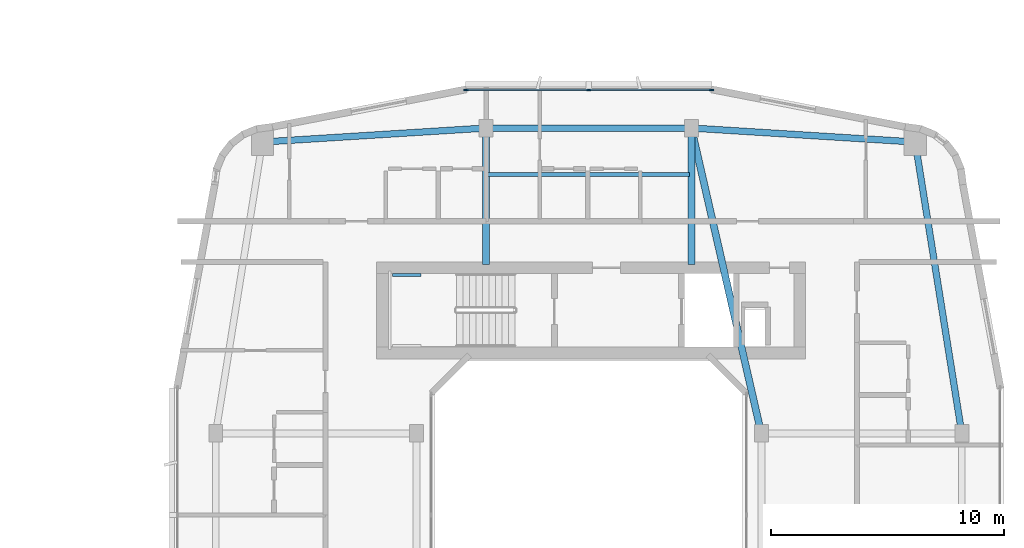
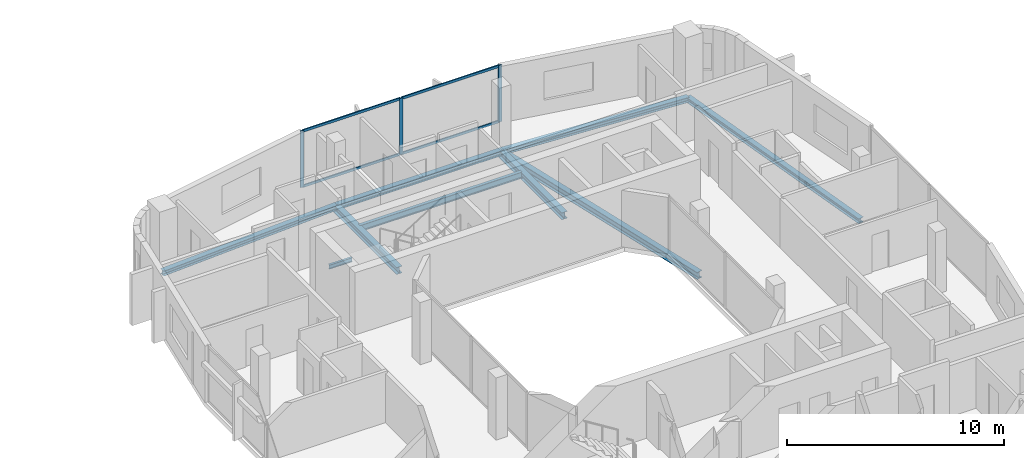
# One storey, part 10 of 25: 9 beams, 7 members, 1 element without a shape of its own.
"""IFC4 building model written with IfcOpenShell, lengths in metres."""

from ifc_helpers import new_model, si_unit, derived_unit, direction, frame, origin, origin_2d, place, context, subcontext, project, spatial, rectangle, i_section, extrude, material, layer, layer_set, material_profile, profile_set, type_object, element, aggregate, save


model = new_model("IFC4")

# Units and contexts
model_context = context("Model", 3, precision=1e-05, world=origin(), true_north=direction((0.0, 1.0)))
body_context = subcontext(model_context, "Body", "Model", "MODEL_VIEW")
ifc_project = project(units=[si_unit("LENGTHUNIT", "METRE"), si_unit("AREAUNIT", "SQUARE_METRE"), si_unit("VOLUMEUNIT", "CUBIC_METRE"), si_unit("PLANEANGLEUNIT", "RADIAN"), si_unit("MASSUNIT", "GRAM", prefix="KILO"), derived_unit("THERMALTRANSMITTANCEUNIT", [(si_unit("POWERUNIT", "WATT"), 1), (si_unit("LENGTHUNIT", "METRE"), -2), (si_unit("THERMODYNAMICTEMPERATUREUNIT", "KELVIN"), -1)])], contexts=[model_context])

# Site, building, storey
site_placement = place(None, origin())
site = spatial("IfcSite", under=ifc_project, at=site_placement, CompositionType="ELEMENT")
building_placement = place(site_placement, origin())
building = spatial("IfcBuilding", under=site, at=building_placement, Name="Kivonza Crest Hotel", CompositionType="ELEMENT")
storey_placement = place(building_placement, frame((0.0, 0.0, 87.0)))
storey = spatial("IfcBuildingStorey", under=building, at=storey_placement, Name="L23", CompositionType="ELEMENT", Elevation=87.0)

# Beams
ifc_material_1 = material(Name="Steel S355", Category="steel")
ifc_material_profile_1 = material_profile(ifc_material_1, i_section(OverallWidth=0.280029296875, OverallDepth=0.280029296875, WebThickness=0.010498046875, FlangeThickness=0.01806640625, FilletRadius=0.02392578125, at=origin_2d()), Name="HEB 280")
ifc_profile_set_1 = profile_set([ifc_material_profile_1], Name="Steel S355")
beam_type_1 = type_object("IfcBeamType", Name="BM-HEB280", PredefinedType="SPANDREL", material=ifc_profile_set_1)
beam_1_placement = place(storey_placement, frame((93.0, 28.5, -0.389892578125), z_axis=(-0.157990501107, 0.987440631917, 0.0), x_axis=(-0.987440631917, -0.157990501107, 0.0)))
element("IfcBeam", 1, at=beam_1_placement, inside=storey, type_object=beam_type_1, Name="Companion Tower T2 L23 perimeter spandrel E2-NE", PredefinedType="SPANDREL", context=body_context, shape_type="SweptSolid", body=[
    extrude(i_section(OverallWidth=0.280029296875, OverallDepth=0.280029296875, WebThickness=0.010498046875, FlangeThickness=0.01806640625, FilletRadius=0.02392578125, at=origin_2d()), origin(), (0.0, 0.0, 1.0), 12.658935546875),
])
beam_2_placement = place(storey_placement, frame((91.0, 41.0, -0.389892578125), z_axis=(-0.998051985873, 0.062387767186, 0.0), x_axis=(-0.062387767186, -0.998051985873, 0.0)))
element("IfcBeam", 2, at=beam_2_placement, inside=storey, type_object=beam_type_1, Name="Companion Tower T2 L23 perimeter spandrel NE-N2", PredefinedType="SPANDREL", context=body_context, shape_type="SweptSolid", body=[
    extrude(i_section(OverallWidth=0.280029296875, OverallDepth=0.280029296875, WebThickness=0.010498046875, FlangeThickness=0.01806640625, FilletRadius=0.02392578125, at=origin_2d()), origin(), (0.0, 0.0, 1.0), 9.618896484375),
])
beam_3_placement = place(storey_placement, frame((81.39990234375, 41.60009765625, -0.389892578125), z_axis=(-1.0, 0.0, 0.0), x_axis=(0.0, -1.0, 0.0)))
element("IfcBeam", 3, at=beam_3_placement, inside=storey, type_object=beam_type_1, Name="Companion Tower T2 L23 perimeter spandrel N2-N1", PredefinedType="SPANDREL", context=body_context, shape_type="SweptSolid", body=[
    extrude(i_section(OverallWidth=0.280029296875, OverallDepth=0.280029296875, WebThickness=0.010498046875, FlangeThickness=0.01806640625, FilletRadius=0.02392578125, at=origin_2d()), origin(), (0.0, 0.0, 1.0), 8.7998046875),
])
beam_4_placement = place(storey_placement, frame((72.60009765625, 41.60009765625, -0.389892578125), z_axis=(-0.998051985873, -0.062387767186, 0.0), x_axis=(0.062387767186, -0.998051985873, 0.0)))
element("IfcBeam", 4, at=beam_4_placement, inside=storey, type_object=beam_type_1, Name="Companion Tower T2 L23 perimeter spandrel N1-NW", PredefinedType="SPANDREL", context=body_context, shape_type="SweptSolid", body=[
    extrude(i_section(OverallWidth=0.280029296875, OverallDepth=0.280029296875, WebThickness=0.010498046875, FlangeThickness=0.01806640625, FilletRadius=0.02392578125, at=origin_2d()), origin(), (0.0, 0.0, 1.0), 9.618896484375),
])
ifc_material_profile_2 = material_profile(ifc_material_1, i_section(OverallWidth=0.300048828125, OverallDepth=0.39990234375, WebThickness=0.013427734375, FlangeThickness=0.02392578125, FilletRadius=0.027099609375, at=origin_2d()), Name="HEB 400")
ifc_profile_set_2 = profile_set([ifc_material_profile_2], Name="Steel S355")
beam_type_2 = type_object("IfcBeamType", Name="BM-HEB400", PredefinedType="BEAM", material=ifc_profile_set_2)
beam_5_placement = place(storey_placement, frame((84.39990234375, 28.5, -0.449951171875), z_axis=(-0.223227287589, 0.974766422317, 0.0), x_axis=(-0.974766422317, -0.223227287589, 0.0)))
element("IfcBeam", 5, at=beam_5_placement, inside=storey, type_object=beam_type_2, Name="Companion Tower T2 L23 girder WR2-N2", PredefinedType="BEAM", context=body_context, shape_type="SweptSolid", body=[
    extrude(i_section(OverallWidth=0.300048828125, OverallDepth=0.39990234375, WebThickness=0.013427734375, FlangeThickness=0.02392578125, FilletRadius=0.027099609375, at=origin_2d()), origin(), (0.0, 0.0, 1.0), 13.439208984375),
])
for number, where, z_axis, x_axis, name in (
    (6, (72.60009765625, 41.60009765625, -0.449951171875), (0.0, -1.0, 0.0), (1.0, 0.0, 0.0), "Companion T2 L23 radial core girder RN1"),
    (7, (81.39990234375, 41.60009765625, -0.449951171875), (0.0, -1.0, 0.0), (1.0, 0.0, 0.0), "Companion T2 L23 radial core girder RN2"),
):
    element("IfcBeam", number, at=place(storey_placement, frame(where, z_axis=z_axis, x_axis=x_axis)), inside=storey, type_object=beam_type_2, Name=name, PredefinedType="BEAM", context=body_context, shape_type="SweptSolid", body=[
        extrude(i_section(OverallWidth=0.300048828125, OverallDepth=0.39990234375, WebThickness=0.013427734375, FlangeThickness=0.02392578125, FilletRadius=0.027099609375, at=origin_2d()), origin(), (0.0, 0.0, 1.0), 5.85009765625),
    ])
ifc_material_profile_3 = material_profile(ifc_material_1, i_section(OverallWidth=0.169921875, OverallDepth=0.360107421875, WebThickness=0.008056640625, FlangeThickness=0.0126953125, FilletRadius=0.01806640625, at=origin_2d()), Name="IPE 360")
ifc_profile_set_3 = profile_set([ifc_material_profile_3], Name="Steel S355")
beam_type_3 = type_object("IfcBeamType", Name="BM-IPE360", PredefinedType="JOIST", material=ifc_profile_set_3)
beam_6_placement = place(storey_placement, frame((72.679931640625, 39.60009765625, -0.429931640625), z_axis=(1.0, 0.0, 0.0), x_axis=(0.0, 1.0, 0.0)))
element("IfcBeam", 8, at=beam_6_placement, inside=storey, type_object=beam_type_3, Name="Companion Tower T2 L23 North floor joist", PredefinedType="JOIST", context=body_context, shape_type="SweptSolid", body=[
    extrude(i_section(OverallWidth=0.169921875, OverallDepth=0.360107421875, WebThickness=0.008056640625, FlangeThickness=0.0126953125, FilletRadius=0.01806640625, at=origin_2d()), origin(), (0.0, 0.0, 1.0), 8.64013671875),
])
ifc_material_profile_4 = material_profile(ifc_material_1, i_section(OverallWidth=0.1201171875, OverallDepth=0.239990234375, WebThickness=0.006103515625, FlangeThickness=0.009765625, FilletRadius=0.014892578125, at=origin_2d()), Name="IPE 240")
ifc_profile_set_4 = profile_set([ifc_material_profile_4], Name="Steel S355")
beam_type_4 = type_object("IfcBeamType", Name="BM-LLDG-240", PredefinedType="BEAM", material=ifc_profile_set_4)
beam_7_placement = place(storey_placement, frame((68.590087890625, 35.300048828125, 1.429931640625), z_axis=(1.0, 0.0, 0.0), x_axis=(0.0, 1.0, 0.0)))
element("IfcBeam", 9, at=beam_7_placement, inside=storey, type_object=beam_type_4, Name="Stair ST-T2-N L23 North landing corbel", PredefinedType="BEAM", context=body_context, shape_type="SweptSolid", body=[
    extrude(i_section(OverallWidth=0.1201171875, OverallDepth=0.239990234375, WebThickness=0.006103515625, FlangeThickness=0.009765625, FilletRadius=0.014892578125, at=origin_2d()), origin(), (0.0, 0.0, 1.0), 1.2099609375),
])

# Curtain wall, members
ifc_material_2 = material(Name="Anodised bronze aluminium and low-E double glazing", Category="aluminium")
ifc_layer = layer(ifc_material_2, 0.179931640625)
ifc_layer_set = layer_set([ifc_layer], Name="Anodised bronze aluminium and low-E double glazing")
curtain_wall_type = type_object("IfcCurtainWallType", Name="CW-SYS-4", PredefinedType="NOTDEFINED", material=ifc_layer_set)
curtain_wall_placement = place(storey_placement, origin())
curtain_wall = element("IfcCurtainWall", 10, at=curtain_wall_placement, inside=storey, type_object=curtain_wall_type, Name="L23 unitised curtain wall CW-T2-L23-26", PredefinedType="NOTDEFINED")
ifc_material_3 = material(Name="Anodised bronze aluminium", Category="aluminium")
ifc_material_profile_5 = material_profile(ifc_material_3, rectangle(XDim=0.06494140625, YDim=0.179931640625, at=origin_2d()), Name="CW-M 65x180")
ifc_profile_set_5 = profile_set([ifc_material_profile_5], Name="Anodised bronze aluminium")
member_type_1 = type_object("IfcMemberType", Name="CW-MUL-65x180", PredefinedType="MULLION", material=ifc_profile_set_5)
member_1_placement = place(storey_placement, frame((82.267578125, 43.239990234375, 0.0), z_axis=(0.0, 0.0, 1.0), x_axis=(0.0, -1.0, 0.0)))
member_1 = element("IfcMember", 11, at=member_1_placement, type_object=member_type_1, Name="CW-4 mullion 1", PredefinedType="MULLION", context=body_context, shape_type="SweptSolid", body=[
    extrude(rectangle(XDim=0.06494140625, YDim=0.179931640625, at=origin_2d()), origin(), (0.0, 0.0, 1.0), 3.179931640625),
])
member_2_placement = place(storey_placement, frame((77.0, 43.239990234375, 0.0), z_axis=(0.0, 0.0, 1.0), x_axis=(0.0, -1.0, 0.0)))
member_2 = element("IfcMember", 12, at=member_2_placement, type_object=member_type_1, Name="CW-4 mullion 2", PredefinedType="MULLION", context=body_context, shape_type="SweptSolid", body=[
    extrude(rectangle(XDim=0.06494140625, YDim=0.179931640625, at=origin_2d()), origin(), (0.0, 0.0, 1.0), 3.179931640625),
])
member_3_placement = place(storey_placement, frame((71.732421875, 43.239990234375, 0.0), z_axis=(0.0, 0.0, 1.0), x_axis=(0.0, -1.0, 0.0)))
member_3 = element("IfcMember", 13, at=member_3_placement, type_object=member_type_1, Name="CW-4 mullion 3", PredefinedType="MULLION", context=body_context, shape_type="SweptSolid", body=[
    extrude(rectangle(XDim=0.06494140625, YDim=0.179931640625, at=origin_2d()), origin(), (0.0, 0.0, 1.0), 3.179931640625),
])
ifc_material_profile_6 = material_profile(ifc_material_3, rectangle(XDim=0.06494140625, YDim=0.139892578125, at=origin_2d()), Name="CW-T 65x140")
ifc_profile_set_6 = profile_set([ifc_material_profile_6], Name="Anodised bronze aluminium")
member_type_2 = type_object("IfcMemberType", Name="CW-TRN-65x140", PredefinedType="USERDEFINED", material=ifc_profile_set_6)
member_4_placement = place(storey_placement, frame((82.235107421875, 43.239990234375, 0.032470703125), z_axis=(-1.0, 0.0, 0.0), x_axis=(0.0, -1.0, 0.0)))
member_4 = element("IfcMember", 14, at=member_4_placement, type_object=member_type_2, Name="CW-4 transom 1.1", ObjectType="TRANSOM", PredefinedType="USERDEFINED", context=body_context, shape_type="SweptSolid", body=[
    extrude(rectangle(XDim=0.06494140625, YDim=0.139892578125, at=origin_2d()), origin(), (0.0, 0.0, 1.0), 5.20263671875),
])
member_5_placement = place(storey_placement, frame((82.235107421875, 43.239990234375, 3.1474609375), z_axis=(-1.0, 0.0, 0.0), x_axis=(0.0, -1.0, 0.0)))
member_5 = element("IfcMember", 15, at=member_5_placement, type_object=member_type_2, Name="CW-4 transom 1.2", ObjectType="TRANSOM", PredefinedType="USERDEFINED", context=body_context, shape_type="SweptSolid", body=[
    extrude(rectangle(XDim=0.06494140625, YDim=0.139892578125, at=origin_2d()), origin(), (0.0, 0.0, 1.0), 5.20263671875),
])
member_6_placement = place(storey_placement, frame((76.967529296875, 43.239990234375, 0.032470703125), z_axis=(-1.0, 0.0, 0.0), x_axis=(0.0, -1.0, 0.0)))
member_6 = element("IfcMember", 16, at=member_6_placement, type_object=member_type_2, Name="CW-4 transom 2.1", ObjectType="TRANSOM", PredefinedType="USERDEFINED", context=body_context, shape_type="SweptSolid", body=[
    extrude(rectangle(XDim=0.06494140625, YDim=0.139892578125, at=origin_2d()), origin(), (0.0, 0.0, 1.0), 5.20263671875),
])
member_7_placement = place(storey_placement, frame((76.967529296875, 43.239990234375, 3.1474609375), z_axis=(-1.0, 0.0, 0.0), x_axis=(0.0, -1.0, 0.0)))
member_7 = element("IfcMember", 17, at=member_7_placement, type_object=member_type_2, Name="CW-4 transom 2.2", ObjectType="TRANSOM", PredefinedType="USERDEFINED", context=body_context, shape_type="SweptSolid", body=[
    extrude(rectangle(XDim=0.06494140625, YDim=0.139892578125, at=origin_2d()), origin(), (0.0, 0.0, 1.0), 5.20263671875),
])
aggregate(curtain_wall, [member_1, member_2, member_3, member_4, member_5, member_6, member_7])

save(model, "model.ifc")
